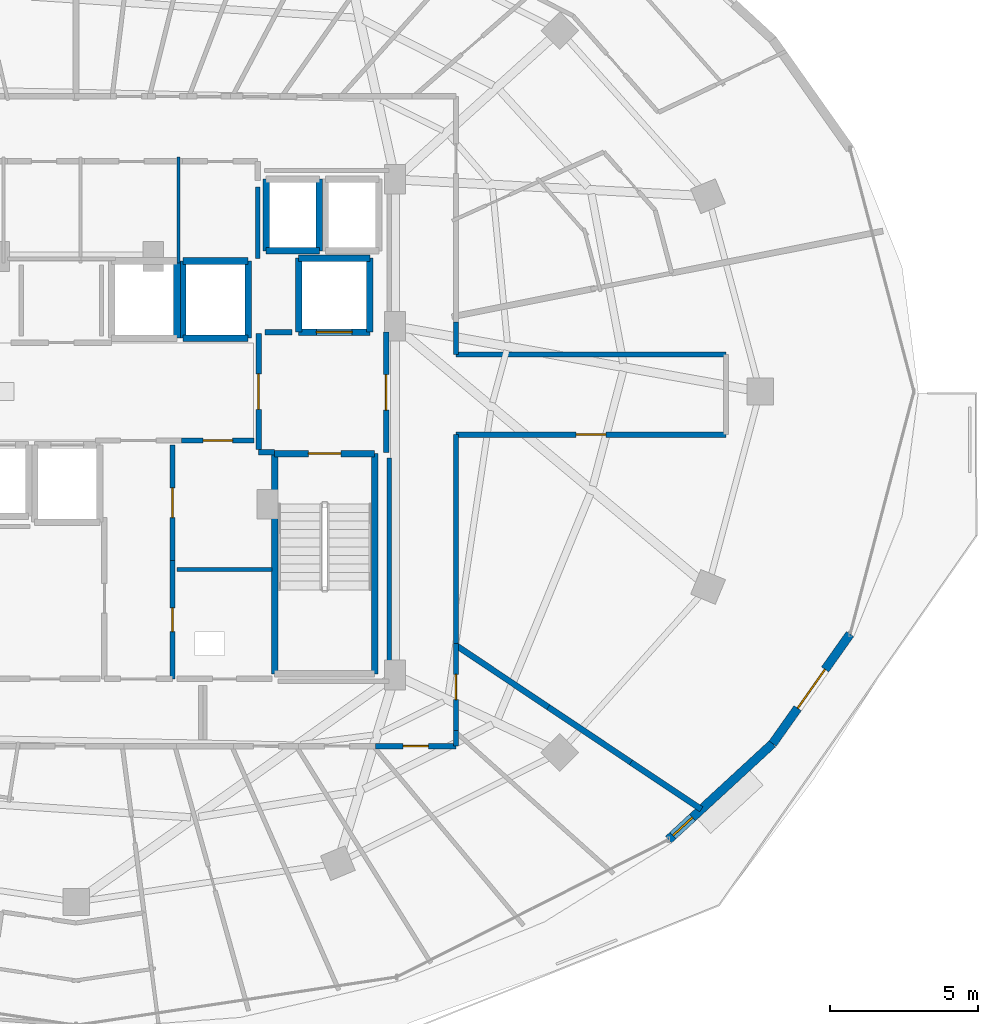
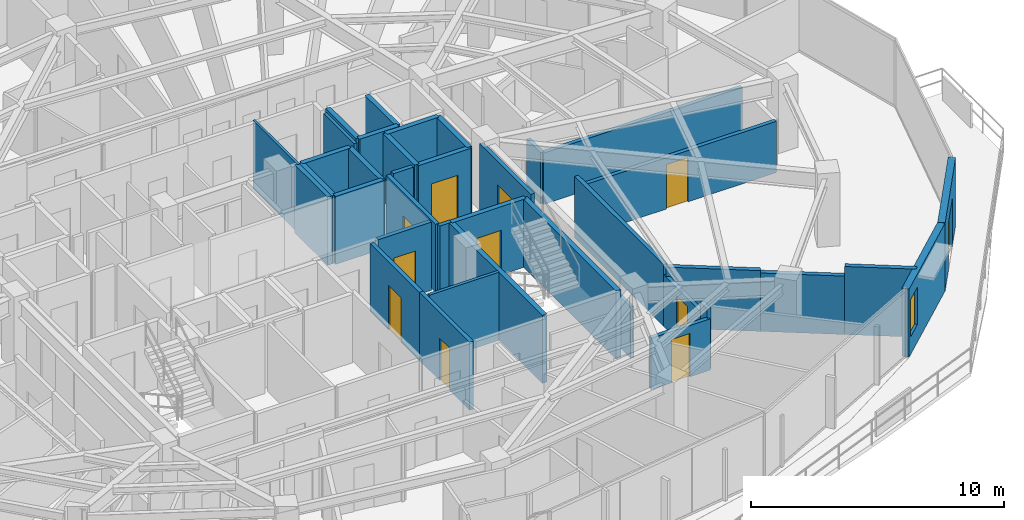
# One storey, part 28 of 34: 38 walls, 11 doors, 1 window, 12 openings.
"""IFC4 building model written with IfcOpenShell, lengths in metres."""

from ifc_helpers import new_model, si_unit, direction, frame, frame_2d, origin, place, context, subcontext, project, spatial, rectangle, extrude, material, layer, layer_set, type_object, element, fill, save


model = new_model("IFC4")

# Units and contexts
model_context = context("Model", 3, precision=1e-05, world=origin(), true_north=direction((0.0, 1.0)))
body_context = subcontext(model_context, "Body", "Model", "MODEL_VIEW")
ifc_project = project(units=[si_unit("LENGTHUNIT", "METRE"), si_unit("AREAUNIT", "SQUARE_METRE"), si_unit("VOLUMEUNIT", "CUBIC_METRE"), si_unit("PLANEANGLEUNIT", "RADIAN"), si_unit("MASSUNIT", "GRAM", prefix="KILO")], contexts=[model_context])

# Site, building, storey
site_placement = place(None, origin())
site = spatial("IfcSite", under=ifc_project, at=site_placement, CompositionType="ELEMENT")
building_placement = place(site_placement, origin())
building = spatial("IfcBuilding", under=site, at=building_placement, Name="Vorneva Point Tower", CompositionType="ELEMENT")
storey_placement = place(building_placement, frame((0.0, 0.0, 214.300048828125)))
storey = spatial("IfcBuildingStorey", under=building, at=storey_placement, Name="L58", CompositionType="ELEMENT", Elevation=214.300048828125)

# Wall, opening, door
ifc_material_1 = material(Name="Concrete B60 (C50/60)", Category="concrete")
ifc_layer_1 = layer(ifc_material_1, 0.35009765625)
ifc_layer_set_1 = layer_set([ifc_layer_1], Name="Concrete B60 (C50/60)")
wall_type_1 = type_object("IfcWallType", Name="WL-CORE-350", PredefinedType="SHEAR", material=ifc_layer_set_1)
wall_1_placement = place(storey_placement, frame((45.5, 28.0, 0.0), z_axis=(0.0, 0.0, 1.0), x_axis=(1.0, 0.0, 0.0)))
wall_1 = element("IfcWall", 1, at=wall_1_placement, inside=storey, type_object=wall_type_1, Name="L58 Lift FFL2 Shaft Wall -Y", PredefinedType="SHEAR", context=body_context, shape_type="SweptSolid", body=[
    extrude(rectangle(XDim=2.39990234375, YDim=0.219970703125, at=frame_2d((1.199951171875, 0.0))), origin(), (0.0, 0.0, 1.0), 3.2900390625),
])
opening_1_placement = place(wall_1_placement, frame((0.60009765625, 0.0, 0.0)))
opening_1 = element("IfcOpeningElement", 2, at=opening_1_placement, cuts=wall_1, Name="Opening LD-02", PredefinedType="OPENING", context=body_context, shape_type="SweptSolid", body=[
    extrude(rectangle(XDim=1.199951171875, YDim=2.199951171875, at=frame_2d((0.60009765625, 1.10009765625))), frame((0.0, 0.125, 0.0), z_axis=(0.0, -1.0, 0.0), x_axis=(1.0, 0.0, 0.0)), (0.0, 0.0, 1.0), 0.249755859375),
])
ifc_material_2 = material(Name="Brushed stainless steel S304", Category="steel")
door_type_1 = type_object("IfcDoorType", Name="LD-FIRE-1200", OperationType="SLIDING_TO_LEFT", PredefinedType="DOOR", material=ifc_material_2)
door_1_placement = place(opening_1_placement, origin())
door_1 = element("IfcDoor", 3, at=door_1_placement, inside=storey, type_object=door_type_1, Name="L58 Lift FFL2 Sliding Landing Door", OperationType="SLIDING_TO_LEFT", OverallHeight=2.199951171875, OverallWidth=1.199951171875, PredefinedType="DOOR", context=body_context, shape_type="SweptSolid", body=[
    extrude(rectangle(XDim=1.199951171875, YDim=2.199951171875, at=frame_2d((0.60009765625, 1.10009765625))), frame((0.0, 0.02490234375, 0.0), z_axis=(0.0, -1.0, 0.0), x_axis=(1.0, 0.0, 0.0)), (0.0, 0.0, 1.0), 0.050048828125),
])
fill(opening_1, door_1)

# Walls
wall_2_placement = place(storey_placement, frame((47.89990234375, 28.0, 0.0), z_axis=(0.0, 0.0, 1.0), x_axis=(0.0, 1.0, 0.0)))
element("IfcWall", 4, at=wall_2_placement, inside=storey, type_object=wall_type_1, Name="L58 Lift FFL2 Shaft Wall +X", PredefinedType="SHEAR", context=body_context, shape_type="SweptSolid", body=[
    extrude(rectangle(XDim=2.5, YDim=0.219970703125, at=frame_2d((1.25, 0.0))), origin(), (0.0, 0.0, 1.0), 3.2900390625),
])
wall_3_placement = place(storey_placement, frame((47.89990234375, 30.5, 0.0), z_axis=(0.0, 0.0, 1.0), x_axis=(-1.0, 0.0, 0.0)))
element("IfcWall", 5, at=wall_3_placement, inside=storey, type_object=wall_type_1, Name="L58 Lift FFL2 Shaft Wall +Y", PredefinedType="SHEAR", context=body_context, shape_type="SweptSolid", body=[
    extrude(rectangle(XDim=2.39990234375, YDim=0.219970703125, at=frame_2d((1.199951171875, 0.0))), origin(), (0.0, 0.0, 1.0), 3.2900390625),
])
wall_4_placement = place(storey_placement, frame((45.5, 30.5, 0.0), z_axis=(0.0, 0.0, 1.0), x_axis=(0.0, -1.0, 0.0)))
element("IfcWall", 6, at=wall_4_placement, inside=storey, type_object=wall_type_1, Name="L58 Lift FFL2 Shaft Wall -X", PredefinedType="SHEAR", context=body_context, shape_type="SweptSolid", body=[
    extrude(rectangle(XDim=2.5, YDim=0.219970703125, at=frame_2d((1.25, 0.0))), origin(), (0.0, 0.0, 1.0), 3.2900390625),
])

# Wall, opening, window
ifc_material_3 = material(Name="Precast concrete B50 (C40/50)", Category="concrete")
ifc_layer_2 = layer(ifc_material_3, 0.300048828125)
ifc_layer_set_2 = layer_set([ifc_layer_2], Name="Precast concrete B50 (C40/50)")
wall_type_2 = type_object("IfcWallType", Name="WL-EXT-300", PredefinedType="STANDARD", material=ifc_layer_set_2)
wall_5_placement = place(storey_placement, frame((57.961669921875, 10.9033203125, 0.0), z_axis=(0.0, 0.0, 1.0), x_axis=(0.735359993374, 0.677676678177, 0.0)))
wall_5 = element("IfcWall", 7, at=wall_5_placement, inside=storey, type_object=wall_type_2, Name="L58 Pale-Metal Facade Spandrel Wall 15.1", PredefinedType="STANDARD", context=body_context, shape_type="SweptSolid", body=[
    extrude(rectangle(XDim=4.774169921875, YDim=0.300048828125, at=frame_2d((2.38720703125, 0.0))), origin(), (0.0, 0.0, 1.0), 3.2900390625),
])
opening_2_placement = place(wall_5_placement, frame((0.199951171875, 0.0, 0.85009765625)))
opening_2 = element("IfcOpeningElement", 8, at=opening_2_placement, cuts=wall_5, Name="Opening W-08", PredefinedType="OPENING", context=body_context, shape_type="SweptSolid", body=[
    extrude(rectangle(XDim=0.89990234375, YDim=1.800048828125, at=frame_2d((0.449951171875, 0.89990234375))), frame((0.0, 0.1650390625, 0.0), z_axis=(0.0, -1.0, 0.0), x_axis=(1.0, 0.0, 0.0)), (0.0, 0.0, 1.0), 0.329833984375),
])
ifc_material_4 = material(Name="Double low-e laminated glass IGU", Category="glass")
window_type = type_object("IfcWindowType", Name="WN-CAS-900", PartitioningType="SINGLE_PANEL", PredefinedType="WINDOW", material=ifc_material_4)
window_placement = place(opening_2_placement, origin())
window = element("IfcWindow", 9, at=window_placement, inside=storey, type_object=window_type, Name="L58 Dwelling Vision Window 05", OverallHeight=1.800048828125, OverallWidth=0.89990234375, PartitioningType="SINGLE_PANEL", PredefinedType="WINDOW", context=body_context, shape_type="SweptSolid", body=[
    extrude(rectangle(XDim=0.89990234375, YDim=1.800048828125, at=frame_2d((0.449951171875, 0.89990234375))), frame((0.0, 0.030029296875, 0.0), z_axis=(0.0, -1.0, 0.0), x_axis=(1.0, 0.0, 0.0)), (0.0, 0.0, 1.0), 0.06005859375),
])
fill(opening_2, window)

# Wall, opening, door
wall_6_placement = place(storey_placement, frame((61.472412109375, 14.138671875, 0.0), z_axis=(0.0, 0.0, 1.0), x_axis=(0.577168747264, 0.81662490605, 0.0)))
wall_6 = element("IfcWall", 10, at=wall_6_placement, inside=storey, type_object=wall_type_2, Name="L58 Pale-Metal Facade Spandrel Wall 15.2", PredefinedType="STANDARD", context=body_context, shape_type="SweptSolid", body=[
    extrude(rectangle(XDim=4.519775390625, YDim=0.300048828125, at=frame_2d((2.259765625, 0.0))), origin(), (0.0, 0.0, 1.0), 3.2900390625),
])
opening_3_placement = place(wall_6_placement, frame((1.4599609375, 0.0, 0.0)))
opening_3 = element("IfcOpeningElement", 11, at=opening_3_placement, cuts=wall_6, Name="Opening BD-01", PredefinedType="OPENING", context=body_context, shape_type="SweptSolid", body=[
    extrude(rectangle(XDim=1.60009765625, YDim=2.300048828125, at=frame_2d((0.800048828125, 1.14990234375))), frame((0.0, 0.1650390625, 0.0), z_axis=(0.0, -1.0, 0.0), x_axis=(1.0, 0.0, 0.0)), (0.0, 0.0, 1.0), 0.329833984375),
])
ifc_material_5 = material(Name="Pale anodised aluminium", Category="aluminium")
door_type_2 = type_object("IfcDoorType", Name="DR-BAL-1600", OperationType="SLIDING_TO_LEFT", PredefinedType="DOOR", material=ifc_material_5)
door_2_placement = place(opening_3_placement, origin())
door_2 = element("IfcDoor", 12, at=door_2_placement, inside=storey, type_object=door_type_2, Name="L58 Balcony Terrace Access Door 15", OperationType="SLIDING_TO_LEFT", OverallHeight=2.300048828125, OverallWidth=1.60009765625, PredefinedType="DOOR", context=body_context, shape_type="SweptSolid", body=[
    extrude(rectangle(XDim=1.60009765625, YDim=2.300048828125, at=frame_2d((0.800048828125, 1.14990234375))), frame((0.0, 0.02490234375, 0.0), z_axis=(0.0, -1.0, 0.0), x_axis=(1.0, 0.0, 0.0)), (0.0, 0.0, 1.0), 0.050048828125),
])
fill(opening_3, door_2)

# Walls
ifc_material_6 = material(Name="Fire-rated acoustic gypsum stud partition", Category="gypsum")
ifc_layer_3 = layer(ifc_material_6, 0.110107421875)
ifc_layer_set_3 = layer_set([ifc_layer_3], Name="Fire-rated acoustic gypsum stud partition")
wall_type_3 = type_object("IfcWallType", Name="WL-PART-110", PredefinedType="PARTITIONING", material=ifc_layer_set_3)
wall_7_placement = place(storey_placement, frame((41.449951171875, 30.340087890625, 0.0), z_axis=(0.0, 0.0, 1.0), x_axis=(0.0, 1.0, 0.0)))
element("IfcWall", 13, at=wall_7_placement, inside=storey, type_object=wall_type_3, Name="L58 Interior Partition 026", PredefinedType="PARTITIONING", context=body_context, shape_type="SweptSolid", body=[
    extrude(rectangle(XDim=3.559814453125, YDim=0.110107421875, at=frame_2d((1.77978515625, 0.0))), origin(), (0.0, 0.0, 1.0), 3.2900390625),
])
ifc_layer_4 = layer(ifc_material_6, 0.139892578125)
ifc_layer_set_4 = layer_set([ifc_layer_4], Name="Fire-rated acoustic gypsum stud partition")
wall_type_4 = type_object("IfcWallType", Name="WL-PART-140", PredefinedType="PARTITIONING", material=ifc_layer_set_4)
wall_8_placement = place(storey_placement, frame((44.60009765625, 20.0, 0.0), z_axis=(0.0, 0.0, 1.0), x_axis=(-1.0, 0.0, 0.0)))
element("IfcWall", 14, at=wall_8_placement, inside=storey, type_object=wall_type_4, Name="L58 Interior Partition 018", PredefinedType="PARTITIONING", context=body_context, shape_type="SweptSolid", body=[
    extrude(rectangle(XDim=3.2001953125, YDim=0.139892578125, at=frame_2d((1.60009765625, 0.0))), origin(), (0.0, 0.0, 1.0), 3.2900390625),
])
wall_9_placement = place(storey_placement, frame((44.1201171875, 30.47998046875, 0.0), z_axis=(0.0, 0.0, 1.0), x_axis=(0.0, 1.0, 0.0)))
element("IfcWall", 15, at=wall_9_placement, inside=storey, type_object=wall_type_4, Name="L58 Interior Closure Partition 175", PredefinedType="PARTITIONING", context=body_context, shape_type="SweptSolid", body=[
    extrude(rectangle(XDim=2.409912109375, YDim=0.139892578125, at=frame_2d((1.205078125, 0.0))), origin(), (0.0, 0.0, 1.0), 3.2900390625),
])
wall_10_placement = place(storey_placement, frame((48.550048828125, 16.239990234375, 0.0), z_axis=(0.0, 0.0, 1.0), x_axis=(0.0, 1.0, 0.0)))
element("IfcWall", 16, at=wall_10_placement, inside=storey, type_object=wall_type_4, Name="L58 Interior Closure Partition 192", PredefinedType="PARTITIONING", context=body_context, shape_type="SweptSolid", body=[
    extrude(rectangle(XDim=7.513916015625, YDim=0.139892578125, at=frame_2d((3.7568359375, 0.0))), origin(), (0.0, 0.0, 1.0), 2.48193359375),
])

# Wall, opening, door
ifc_material_7 = material(Name="Autoclaved aerated concrete blockwork", Category="masonry")
ifc_layer_5 = layer(ifc_material_7, 0.179931640625)
ifc_layer_set_5 = layer_set([ifc_layer_5], Name="Autoclaved aerated concrete blockwork")
wall_type_5 = type_object("IfcWallType", Name="WL-PART-180", PredefinedType="PARTITIONING", material=ifc_layer_set_5)
wall_11_placement = place(storey_placement, frame((44.14990234375, 27.955078125, 0.0), z_axis=(0.0, 0.0, 1.0), x_axis=(0.0, -1.0, 0.0)))
wall_11 = element("IfcWall", 17, at=wall_11_placement, inside=storey, type_object=wall_type_5, Name="L58 Interior Partition 003", PredefinedType="PARTITIONING", context=body_context, shape_type="SweptSolid", body=[
    extrude(rectangle(XDim=3.91015625, YDim=0.179931640625, at=frame_2d((1.955078125, 0.0))), origin(), (0.0, 0.0, 1.0), 3.2900390625),
])
opening_4_placement = place(wall_11_placement, frame((1.35498046875, 0.0, 0.0)))
opening_4 = element("IfcOpeningElement", 18, at=opening_4_placement, cuts=wall_11, Name="Opening FD-02", PredefinedType="OPENING", context=body_context, shape_type="SweptSolid", body=[
    extrude(rectangle(XDim=1.199951171875, YDim=2.14990234375, at=frame_2d((0.60009765625, 1.074951171875))), frame((0.0, 0.10498046875, 0.0), z_axis=(0.0, -1.0, 0.0), x_axis=(1.0, 0.0, 0.0)), (0.0, 0.0, 1.0), 0.209716796875),
])
ifc_material_8 = material(Name="Fire-rated powder-coated steel", Category="steel")
door_type_3 = type_object("IfcDoorType", Name="DR-FFL-1200", OperationType="NOTDEFINED", PredefinedType="DOOR", material=ifc_material_8)
door_3_placement = place(opening_4_placement, origin())
door_3 = element("IfcDoor", 19, at=door_3_placement, inside=storey, type_object=door_type_3, Name="L58 Door East Firefighting Lobby / Central Lift Lobby", OperationType="SINGLE_SWING_LEFT", OverallHeight=2.14990234375, OverallWidth=1.199951171875, PredefinedType="DOOR", context=body_context, shape_type="SweptSolid", body=[
    extrude(rectangle(XDim=1.199951171875, YDim=2.14990234375, at=frame_2d((0.60009765625, 1.074951171875))), frame((0.0, 0.02490234375, 0.0), z_axis=(0.0, -1.0, 0.0), x_axis=(1.0, 0.0, 0.0)), (0.0, 0.0, 1.0), 0.050048828125),
])
fill(opening_4, door_3)

# Wall
wall_12_placement = place(storey_placement, frame((44.14990234375, 23.949951171875, 0.0), z_axis=(0.0, 0.0, 1.0), x_axis=(1.0, 0.0, 0.0)))
element("IfcWall", 20, at=wall_12_placement, inside=storey, type_object=wall_type_5, Name="L58 Interior Partition 004", PredefinedType="PARTITIONING", context=body_context, shape_type="SweptSolid", body=[
    extrude(rectangle(XDim=0.5400390625, YDim=0.179931640625, at=frame_2d((0.27001953125, 0.0))), origin(), (0.0, 0.0, 1.0), 3.2900390625),
])

# Wall, opening, door
wall_13_placement = place(storey_placement, frame((48.449951171875, 23.949951171875, 0.0), z_axis=(0.0, 0.0, 1.0), x_axis=(0.0, 1.0, 0.0)))
wall_13 = element("IfcWall", 21, at=wall_13_placement, inside=storey, type_object=wall_type_5, Name="L58 Interior Partition 005", PredefinedType="PARTITIONING", context=body_context, shape_type="SweptSolid", body=[
    extrude(rectangle(XDim=4.050048828125, YDim=0.179931640625, at=frame_2d((2.02490234375, 0.0))), origin(), (0.0, 0.0, 1.0), 3.2900390625),
])
opening_5_placement = place(wall_13_placement, frame((1.425048828125, 0.0, 0.0)))
opening_5 = element("IfcOpeningElement", 22, at=opening_5_placement, cuts=wall_13, Name="Opening FD-02", PredefinedType="OPENING", context=body_context, shape_type="SweptSolid", body=[
    extrude(rectangle(XDim=1.199951171875, YDim=2.14990234375, at=frame_2d((0.60009765625, 1.074951171875))), frame((0.0, 0.10498046875, 0.0), z_axis=(0.0, -1.0, 0.0), x_axis=(1.0, 0.0, 0.0)), (0.0, 0.0, 1.0), 0.209716796875),
])
door_4_placement = place(opening_5_placement, origin())
door_4 = element("IfcDoor", 23, at=door_4_placement, inside=storey, type_object=door_type_3, Name="L58 Door East Firefighting Lobby / L58 Circulation Corridor", OperationType="SINGLE_SWING_LEFT", OverallHeight=2.14990234375, OverallWidth=1.199951171875, PredefinedType="DOOR", context=body_context, shape_type="SweptSolid", body=[
    extrude(rectangle(XDim=1.199951171875, YDim=2.14990234375, at=frame_2d((0.60009765625, 1.074951171875))), frame((0.0, 0.02490234375, 0.0), z_axis=(0.0, -1.0, 0.0), x_axis=(1.0, 0.0, 0.0)), (0.0, 0.0, 1.0), 0.050048828125),
])
fill(opening_5, door_4)

wall_14_placement = place(storey_placement, frame((41.554931640625, 24.35009765625, 0.0), z_axis=(0.0, 0.0, 1.0), x_axis=(1.0, 0.0, 0.0)))
wall_14 = element("IfcWall", 24, at=wall_14_placement, inside=storey, type_object=wall_type_5, Name="L58 Interior Partition 011", PredefinedType="PARTITIONING", context=body_context, shape_type="SweptSolid", body=[
    extrude(rectangle(XDim=2.445068359375, YDim=0.179931640625, at=frame_2d((1.22265625, 0.0))), origin(), (0.0, 0.0, 1.0), 3.2900390625),
])
opening_6_placement = place(wall_14_placement, frame((0.722412109375, 0.0, 0.0)))
opening_6 = element("IfcOpeningElement", 25, at=opening_6_placement, cuts=wall_14, Name="Opening UD-01", PredefinedType="OPENING", context=body_context, shape_type="SweptSolid", body=[
    extrude(rectangle(XDim=1.0, YDim=2.14990234375, at=frame_2d((0.5, 1.074951171875))), frame((0.0, 0.10498046875, 0.0), z_axis=(0.0, -1.0, 0.0), x_axis=(1.0, 0.0, 0.0)), (0.0, 0.0, 1.0), 0.209716796875),
])
ifc_material_9 = material(Name="Engineered oak fire-rated door leaf", Category="wood")
door_type_4 = type_object("IfcDoorType", Name="DR-UNIT-1000", OperationType="NOTDEFINED", PredefinedType="DOOR", material=ifc_material_9)
door_5_placement = place(opening_6_placement, origin())
door_5 = element("IfcDoor", 26, at=door_5_placement, inside=storey, type_object=door_type_4, Name="L58 Door Central Lift Lobby / Floor Management Office", OperationType="SINGLE_SWING_LEFT", OverallHeight=2.14990234375, OverallWidth=1.0, PredefinedType="DOOR", context=body_context, shape_type="SweptSolid", body=[
    extrude(rectangle(XDim=1.0, YDim=2.14990234375, at=frame_2d((0.5, 1.074951171875))), frame((0.0, 0.02490234375, 0.0), z_axis=(0.0, -1.0, 0.0), x_axis=(1.0, 0.0, 0.0)), (0.0, 0.0, 1.0), 0.050048828125),
])
fill(opening_6, door_5)

wall_15_placement = place(storey_placement, frame((41.25, 16.320068359375, 0.0), z_axis=(0.0, 0.0, 1.0), x_axis=(0.0, 1.0, 0.0)))
wall_15 = element("IfcWall", 27, at=wall_15_placement, inside=storey, type_object=wall_type_5, Name="L58 Interior Partition 014", PredefinedType="PARTITIONING", context=body_context, shape_type="SweptSolid", body=[
    extrude(rectangle(XDim=3.98486328125, YDim=0.179931640625, at=frame_2d((1.992431640625, 0.0))), origin(), (0.0, 0.0, 1.0), 3.2900390625),
])
opening_7_placement = place(wall_15_placement, frame((1.592529296875, 0.0, 0.0)))
opening_7 = element("IfcOpeningElement", 28, at=opening_7_placement, cuts=wall_15, Name="Opening RD-01", PredefinedType="OPENING", context=body_context, shape_type="SweptSolid", body=[
    extrude(rectangle(XDim=0.800048828125, YDim=2.050048828125, at=frame_2d((0.39990234375, 1.02490234375))), frame((0.0, 0.10498046875, 0.0), z_axis=(0.0, -1.0, 0.0), x_axis=(1.0, 0.0, 0.0)), (0.0, 0.0, 1.0), 0.209716796875),
])
door_type_5 = type_object("IfcDoorType", Name="DR-RSR-800", OperationType="SINGLE_SWING_LEFT", PredefinedType="DOOR", material=ifc_material_8)
door_6_placement = place(opening_7_placement, origin())
door_6 = element("IfcDoor", 29, at=door_6_placement, inside=storey, type_object=door_type_5, Name="L58 Door Core Service Lobby / Electrical Riser", OperationType="SINGLE_SWING_RIGHT", OverallHeight=2.050048828125, OverallWidth=0.800048828125, PredefinedType="DOOR", context=body_context, shape_type="SweptSolid", body=[
    extrude(rectangle(XDim=0.800048828125, YDim=2.050048828125, at=frame_2d((0.39990234375, 1.02490234375))), frame((0.0, 0.02490234375, 0.0), z_axis=(0.0, -1.0, 0.0), x_axis=(1.0, 0.0, 0.0)), (0.0, 0.0, 1.0), 0.050048828125),
])
fill(opening_7, door_6)

wall_16_placement = place(storey_placement, frame((41.25, 20.304931640625, 0.0), z_axis=(0.0, 0.0, 1.0), x_axis=(0.0, 1.0, 0.0)))
wall_16 = element("IfcWall", 30, at=wall_16_placement, inside=storey, type_object=wall_type_5, Name="L58 Interior Partition 015", PredefinedType="PARTITIONING", context=body_context, shape_type="SweptSolid", body=[
    extrude(rectangle(XDim=3.89501953125, YDim=0.179931640625, at=frame_2d((1.947509765625, 0.0))), origin(), (0.0, 0.0, 1.0), 3.2900390625),
])
opening_8_placement = place(wall_16_placement, frame((1.447509765625, 0.0, 0.0)))
opening_8 = element("IfcOpeningElement", 31, at=opening_8_placement, cuts=wall_16, Name="Opening UD-01", PredefinedType="OPENING", context=body_context, shape_type="SweptSolid", body=[
    extrude(rectangle(XDim=1.0, YDim=2.14990234375, at=frame_2d((0.5, 1.074951171875))), frame((0.0, 0.10498046875, 0.0), z_axis=(0.0, -1.0, 0.0), x_axis=(1.0, 0.0, 0.0)), (0.0, 0.0, 1.0), 0.209716796875),
])
door_7_placement = place(opening_8_placement, origin())
door_7 = element("IfcDoor", 32, at=door_7_placement, inside=storey, type_object=door_type_4, Name="L58 Door Core Service Lobby / Floor Management Office", OperationType="SINGLE_SWING_LEFT", OverallHeight=2.14990234375, OverallWidth=1.0, PredefinedType="DOOR", context=body_context, shape_type="SweptSolid", body=[
    extrude(rectangle(XDim=1.0, YDim=2.14990234375, at=frame_2d((0.5, 1.074951171875))), frame((0.0, 0.02490234375, 0.0), z_axis=(0.0, -1.0, 0.0), x_axis=(1.0, 0.0, 0.0)), (0.0, 0.0, 1.0), 0.050048828125),
])
fill(opening_8, door_7)

wall_17_placement = place(storey_placement, frame((48.095947265625, 14.050048828125, 0.0), z_axis=(0.0, 0.0, 1.0), x_axis=(1.0, 0.0, 0.0)))
wall_17 = element("IfcWall", 33, at=wall_17_placement, inside=storey, type_object=wall_type_5, Name="L58 Interior Partition 076", PredefinedType="PARTITIONING", context=body_context, shape_type="SweptSolid", body=[
    extrude(rectangle(XDim=2.7041015625, YDim=0.179931640625, at=frame_2d((1.35205078125, 0.0))), origin(), (0.0, 0.0, 1.0), 2.48193359375),
])
opening_9_placement = place(wall_17_placement, frame((0.927001953125, 0.0, 0.0)))
opening_9 = element("IfcOpeningElement", 34, at=opening_9_placement, cuts=wall_17, Name="Opening ID-02", PredefinedType="OPENING", context=body_context, shape_type="SweptSolid", body=[
    extrude(rectangle(XDim=0.85009765625, YDim=2.10009765625, at=frame_2d((0.425048828125, 1.050048828125))), frame((0.0, 0.10498046875, 0.0), z_axis=(0.0, -1.0, 0.0), x_axis=(1.0, 0.0, 0.0)), (0.0, 0.0, 1.0), 0.209716796875),
])
door_type_6 = type_object("IfcDoorType", Name="DR-BATH-850", OperationType="NOTDEFINED", PredefinedType="DOOR", material=ifc_material_9)
door_8_placement = place(opening_9_placement, origin())
door_8 = element("IfcDoor", 35, at=door_8_placement, inside=storey, type_object=door_type_6, Name="L58 Access Door L58 Circulation Corridor", OperationType="SINGLE_SWING_RIGHT", OverallHeight=2.10009765625, OverallWidth=0.85009765625, PredefinedType="DOOR", context=body_context, shape_type="SweptSolid", body=[
    extrude(rectangle(XDim=0.85009765625, YDim=2.10009765625, at=frame_2d((0.425048828125, 1.050048828125))), frame((0.0, 0.02490234375, 0.0), z_axis=(0.0, -1.0, 0.0), x_axis=(1.0, 0.0, 0.0)), (0.0, 0.0, 1.0), 0.050048828125),
])
fill(opening_9, door_8)

# Wall
wall_18_placement = place(storey_placement, frame((50.800048828125, 14.050048828125, 0.0), z_axis=(0.0, 0.0, 1.0), x_axis=(0.0, 1.0, 0.0)))
element("IfcWall", 36, at=wall_18_placement, inside=storey, type_object=wall_type_5, Name="L58 Interior Partition 077", PredefinedType="PARTITIONING", context=body_context, shape_type="SweptSolid", body=[
    extrude(rectangle(XDim=0.530029296875, YDim=0.179931640625, at=frame_2d((0.26513671875, 0.0))), origin(), (0.0, 0.0, 1.0), 2.93603515625),
])

# Wall, opening, door
wall_19_placement = place(storey_placement, frame((50.800048828125, 14.580078125, 0.0), z_axis=(0.0, 0.0, 1.0), x_axis=(0.0, 1.0, 0.0)))
wall_19 = element("IfcWall", 37, at=wall_19_placement, inside=storey, type_object=wall_type_5, Name="L58 Interior Partition 078", PredefinedType="PARTITIONING", context=body_context, shape_type="SweptSolid", body=[
    extrude(rectangle(XDim=2.927001953125, YDim=0.179931640625, at=frame_2d((1.46337890625, 0.0))), origin(), (0.0, 0.0, 1.0), 2.48193359375),
])
opening_10_placement = place(wall_19_placement, frame((1.03857421875, 0.0, 0.0)))
opening_10 = element("IfcOpeningElement", 38, at=opening_10_placement, cuts=wall_19, Name="Opening ID-02", PredefinedType="OPENING", context=body_context, shape_type="SweptSolid", body=[
    extrude(rectangle(XDim=0.85009765625, YDim=2.10009765625, at=frame_2d((0.425048828125, 1.050048828125))), frame((0.0, 0.10498046875, 0.0), z_axis=(0.0, -1.0, 0.0), x_axis=(1.0, 0.0, 0.0)), (0.0, 0.0, 1.0), 0.209716796875),
])
door_9_placement = place(opening_10_placement, origin())
door_9 = element("IfcDoor", 39, at=door_9_placement, inside=storey, type_object=door_type_6, Name="L58 Access Door L58 Circulation Corridor", OperationType="SINGLE_SWING_LEFT", OverallHeight=2.10009765625, OverallWidth=0.85009765625, PredefinedType="DOOR", context=body_context, shape_type="SweptSolid", body=[
    extrude(rectangle(XDim=0.85009765625, YDim=2.10009765625, at=frame_2d((0.425048828125, 1.050048828125))), frame((0.0, 0.02490234375, 0.0), z_axis=(0.0, -1.0, 0.0), x_axis=(1.0, 0.0, 0.0)), (0.0, 0.0, 1.0), 0.050048828125),
])
fill(opening_10, door_9)

# Wall
wall_20_placement = place(storey_placement, frame((50.800048828125, 17.507080078125, 0.0), z_axis=(0.0, 0.0, 1.0), x_axis=(0.0, 1.0, 0.0)))
element("IfcWall", 40, at=wall_20_placement, inside=storey, type_object=wall_type_5, Name="L58 Interior Partition 079", PredefinedType="PARTITIONING", context=body_context, shape_type="SweptSolid", body=[
    extrude(rectangle(XDim=7.04296875, YDim=0.179931640625, at=frame_2d((3.521484375, 0.0))), origin(), (0.0, 0.0, 1.0), 2.97900390625),
])

# Wall, opening, door
wall_21_placement = place(storey_placement, frame((50.800048828125, 24.550048828125, 0.0), z_axis=(0.0, 0.0, 1.0), x_axis=(1.0, 0.0, 0.0)))
wall_21 = element("IfcWall", 41, at=wall_21_placement, inside=storey, type_object=wall_type_5, Name="L58 Interior Partition 080", PredefinedType="PARTITIONING", context=body_context, shape_type="SweptSolid", body=[
    extrude(rectangle(XDim=9.099853515625, YDim=0.179931640625, at=frame_2d((4.5498046875, 0.0))), origin(), (0.0, 0.0, 1.0), 2.48193359375),
])
opening_11_placement = place(wall_21_placement, frame((4.050048828125, 0.0, 0.0)))
opening_11 = element("IfcOpeningElement", 42, at=opening_11_placement, cuts=wall_21, Name="Opening UD-01", PredefinedType="OPENING", context=body_context, shape_type="SweptSolid", body=[
    extrude(rectangle(XDim=1.0, YDim=2.14990234375, at=frame_2d((0.5, 1.074951171875))), frame((0.0, 0.10498046875, 0.0), z_axis=(0.0, -1.0, 0.0), x_axis=(1.0, 0.0, 0.0)), (0.0, 0.0, 1.0), 0.209716796875),
])
door_10_placement = place(opening_11_placement, origin())
door_10 = element("IfcDoor", 43, at=door_10_placement, inside=storey, type_object=door_type_4, Name="L58 Door L58 Circulation Corridor / Residents Fitness Studio L58-05", OperationType="SINGLE_SWING_RIGHT", OverallHeight=2.14990234375, OverallWidth=1.0, PredefinedType="DOOR", context=body_context, shape_type="SweptSolid", body=[
    extrude(rectangle(XDim=1.0, YDim=2.14990234375, at=frame_2d((0.5, 1.074951171875))), frame((0.0, 0.02490234375, 0.0), z_axis=(0.0, -1.0, 0.0), x_axis=(1.0, 0.0, 0.0)), (0.0, 0.0, 1.0), 0.050048828125),
])
fill(opening_11, door_10)

# Walls
wall_22_placement = place(storey_placement, frame((59.89990234375, 27.25, 0.0), z_axis=(0.0, 0.0, 1.0), x_axis=(-1.0, 0.0, 0.0)))
element("IfcWall", 44, at=wall_22_placement, inside=storey, type_object=wall_type_5, Name="L58 Interior Partition 082", PredefinedType="PARTITIONING", context=body_context, shape_type="SweptSolid", body=[
    extrude(rectangle(XDim=9.099853515625, YDim=0.179931640625, at=frame_2d((4.5498046875, 0.0))), origin(), (0.0, 0.0, 1.0), 2.48193359375),
])
wall_23_placement = place(storey_placement, frame((50.800048828125, 27.25, 0.0), z_axis=(0.0, 0.0, 1.0), x_axis=(0.0, 1.0, 0.0)))
element("IfcWall", 45, at=wall_23_placement, inside=storey, type_object=wall_type_5, Name="L58 Interior Partition 083", PredefinedType="PARTITIONING", context=body_context, shape_type="SweptSolid", body=[
    extrude(rectangle(XDim=1.095947265625, YDim=0.179931640625, at=frame_2d((0.5478515625, 0.0))), origin(), (0.0, 0.0, 1.0), 2.48193359375),
])
wall_24_placement = place(storey_placement, frame((45.280029296875, 28.0, 0.0), z_axis=(0.0, 0.0, 1.0), x_axis=(-1.0, 0.0, 0.0)))
element("IfcWall", 46, at=wall_24_placement, inside=storey, type_object=wall_type_5, Name="L58 Interior Closure Partition 173", PredefinedType="PARTITIONING", context=body_context, shape_type="SweptSolid", body=[
    extrude(rectangle(XDim=0.9150390625, YDim=0.179931640625, at=frame_2d((0.45751953125, 0.0))), origin(), (0.0, 0.0, 1.0), 3.2900390625),
])
ifc_layer_6 = layer(ifc_material_7, 0.199951171875)
ifc_layer_set_6 = layer_set([ifc_layer_6], Name="Autoclaved aerated concrete blockwork")
wall_type_6 = type_object("IfcWallType", Name="WL-PART-200", PredefinedType="PARTITIONING", material=ifc_layer_set_6)
wall_25_placement = place(storey_placement, frame((56.695068359375, 13.508056640625, 0.0), z_axis=(0.0, 0.0, 1.0), x_axis=(-0.831533913479, 0.55547398745, 0.0)))
element("IfcWall", 47, at=wall_25_placement, inside=storey, type_object=wall_type_6, Name="L58 Interior Partition 169", PredefinedType="PARTITIONING", context=body_context, shape_type="SweptSolid", body=[
    extrude(rectangle(XDim=3.34814453125, YDim=0.199951171875, at=frame_2d((1.674072265625, 0.0))), origin(), (0.0, 0.0, 1.0), 2.823974609375),
])
wall_26_placement = place(storey_placement, frame((53.910888671875, 15.367919921875, 0.0), z_axis=(0.0, 0.0, 1.0), x_axis=(-0.83140728108, 0.55566350696, 0.0)))
element("IfcWall", 48, at=wall_26_placement, inside=storey, type_object=wall_type_6, Name="L58 Interior Partition 170", PredefinedType="PARTITIONING", context=body_context, shape_type="SweptSolid", body=[
    extrude(rectangle(XDim=3.74169921875, YDim=0.199951171875, at=frame_2d((1.870849609375, 0.0))), origin(), (0.0, 0.0, 1.0), 2.93603515625),
])
wall_27_placement = place(storey_placement, frame((59.06689453125, 11.924072265625, 0.0), z_axis=(0.0, 0.0, 1.0), x_axis=(-0.831602270354, 0.555371644885, 0.0)))
element("IfcWall", 49, at=wall_27_placement, inside=storey, type_object=wall_type_6, Name="L58 Interior Partition 171", PredefinedType="PARTITIONING", context=body_context, shape_type="SweptSolid", body=[
    extrude(rectangle(XDim=2.85205078125, YDim=0.199951171875, at=frame_2d((1.426025390625, 0.0))), origin(), (0.0, 0.0, 1.0), 3.2900390625),
])

# Wall, opening, door
ifc_material_10 = material(Name="Concrete B50 (C40/50)", Category="concrete")
ifc_layer_7 = layer(ifc_material_10, 0.219970703125)
ifc_layer_set_7 = layer_set([ifc_layer_7], Name="Concrete B50 (C40/50)")
wall_type_7 = type_object("IfcWallType", Name="WL-SHFT-220", PredefinedType="SOLIDWALL", material=ifc_layer_set_7)
wall_28_placement = place(storey_placement, frame((44.68994140625, 23.909912109375, 0.0), z_axis=(0.0, 0.0, 1.0), x_axis=(1.0, 0.0, 0.0)))
wall_28 = element("IfcWall", 50, at=wall_28_placement, inside=storey, type_object=wall_type_7, Name="L58 Exit Stair ST2 Shaft Wall near", PredefinedType="SOLIDWALL", context=body_context, shape_type="SweptSolid", body=[
    extrude(rectangle(XDim=3.3701171875, YDim=0.219970703125, at=frame_2d((1.68505859375, 0.0))), origin(), (0.0, 0.0, 1.0), 3.2900390625),
])
opening_12_placement = place(wall_28_placement, frame((1.135009765625, 0.0, 0.0)))
opening_12 = element("IfcOpeningElement", 51, at=opening_12_placement, cuts=wall_28, Name="Opening FD-01", PredefinedType="OPENING", context=body_context, shape_type="SweptSolid", body=[
    extrude(rectangle(XDim=1.10009765625, YDim=2.14990234375, at=frame_2d((0.550048828125, 1.074951171875))), frame((0.0, 0.125, 0.0), z_axis=(0.0, -1.0, 0.0), x_axis=(1.0, 0.0, 0.0)), (0.0, 0.0, 1.0), 0.249755859375),
])
door_type_7 = type_object("IfcDoorType", Name="DR-STAIR-1100", OperationType="NOTDEFINED", PredefinedType="DOOR", material=ifc_material_8)
door_11_placement = place(opening_12_placement, origin())
door_11 = element("IfcDoor", 52, at=door_11_placement, inside=storey, type_object=door_type_7, Name="L58 Exit Stair ST2 Fire Door", OperationType="SINGLE_SWING_LEFT", OverallHeight=2.14990234375, OverallWidth=1.10009765625, PredefinedType="DOOR", context=body_context, shape_type="SweptSolid", body=[
    extrude(rectangle(XDim=1.10009765625, YDim=2.14990234375, at=frame_2d((0.550048828125, 1.074951171875))), frame((0.0, 0.02490234375, 0.0), z_axis=(0.0, -1.0, 0.0), x_axis=(1.0, 0.0, 0.0)), (0.0, 0.0, 1.0), 0.050048828125),
])
fill(opening_12, door_11)

# Walls
for number, where, z_axis, x_axis, name in (
    (53, (48.06005859375, 23.909912109375, 0.0), (0.0, 0.0, 1.0), (0.0, -1.0, 0.0), "L58 Exit Stair ST2 Shaft Wall right"),
    (54, (44.68994140625, 16.489990234375, 0.0), (0.0, 0.0, 1.0), (0.0, 1.0, 0.0), "L58 Exit Stair ST2 Shaft Wall left"),
):
    element("IfcWall", number, at=place(storey_placement, frame(where, z_axis=z_axis, x_axis=x_axis)), inside=storey, type_object=wall_type_7, Name=name, PredefinedType="SOLIDWALL", context=body_context, shape_type="SweptSolid", body=[
        extrude(rectangle(XDim=7.419921875, YDim=0.219970703125, at=frame_2d((3.7099609375, 0.0))), origin(), (0.0, 0.0, 1.0), 3.2900390625),
    ])
wall_29_placement = place(storey_placement, frame((41.39990234375, 27.800048828125, 0.0), z_axis=(0.0, 0.0, 1.0), x_axis=(0.0, 1.0, 0.0)))
element("IfcWall", 55, at=wall_29_placement, inside=storey, type_object=wall_type_7, Name="L58 Lift PL7 Shaft Wall +X", PredefinedType="SOLIDWALL", context=body_context, shape_type="SweptSolid", body=[
    extrude(rectangle(XDim=2.599853515625, YDim=0.219970703125, at=frame_2d((1.2998046875, 0.0))), origin(), (0.0, 0.0, 1.0), 3.2900390625),
])
wall_30_placement = place(storey_placement, frame((41.60009765625, 27.800048828125, 0.0), z_axis=(0.0, 0.0, 1.0), x_axis=(1.0, 0.0, 0.0)))
element("IfcWall", 56, at=wall_30_placement, inside=storey, type_object=wall_type_7, Name="L58 Lift PL8 Shaft Wall -Y", PredefinedType="SOLIDWALL", context=body_context, shape_type="SweptSolid", body=[
    extrude(rectangle(XDim=2.199951171875, YDim=0.219970703125, at=frame_2d((1.10009765625, 0.0))), origin(), (0.0, 0.0, 1.0), 3.2900390625),
])
wall_31_placement = place(storey_placement, frame((43.800048828125, 27.800048828125, 0.0), z_axis=(0.0, 0.0, 1.0), x_axis=(0.0, 1.0, 0.0)))
element("IfcWall", 57, at=wall_31_placement, inside=storey, type_object=wall_type_7, Name="L58 Lift PL8 Shaft Wall +X", PredefinedType="SOLIDWALL", context=body_context, shape_type="SweptSolid", body=[
    extrude(rectangle(XDim=2.599853515625, YDim=0.219970703125, at=frame_2d((1.2998046875, 0.0))), origin(), (0.0, 0.0, 1.0), 3.2900390625),
])
wall_32_placement = place(storey_placement, frame((43.800048828125, 30.39990234375, 0.0), z_axis=(0.0, 0.0, 1.0), x_axis=(-1.0, 0.0, 0.0)))
element("IfcWall", 58, at=wall_32_placement, inside=storey, type_object=wall_type_7, Name="L58 Lift PL8 Shaft Wall +Y", PredefinedType="SOLIDWALL", context=body_context, shape_type="SweptSolid", body=[
    extrude(rectangle(XDim=2.199951171875, YDim=0.219970703125, at=frame_2d((1.10009765625, 0.0))), origin(), (0.0, 0.0, 1.0), 3.2900390625),
])
wall_33_placement = place(storey_placement, frame((41.60009765625, 30.39990234375, 0.0), z_axis=(0.0, 0.0, 1.0), x_axis=(0.0, -1.0, 0.0)))
element("IfcWall", 59, at=wall_33_placement, inside=storey, type_object=wall_type_7, Name="L58 Lift PL8 Shaft Wall -X", PredefinedType="SOLIDWALL", context=body_context, shape_type="SweptSolid", body=[
    extrude(rectangle(XDim=2.599853515625, YDim=0.219970703125, at=frame_2d((1.2998046875, 0.0))), origin(), (0.0, 0.0, 1.0), 3.2900390625),
])
wall_34_placement = place(storey_placement, frame((44.39990234375, 30.739990234375, 0.0), z_axis=(0.0, 0.0, 1.0), x_axis=(1.0, 0.0, 0.0)))
element("IfcWall", 60, at=wall_34_placement, inside=storey, type_object=wall_type_7, Name="L58 Lift EX1 Shaft Wall -Y", PredefinedType="SOLIDWALL", context=body_context, shape_type="SweptSolid", body=[
    extrude(rectangle(XDim=1.800048828125, YDim=0.219970703125, at=frame_2d((0.89990234375, 0.0))), origin(), (0.0, 0.0, 1.0), 3.2900390625),
])
for number, where, z_axis, x_axis, name in (
    (61, (46.199951171875, 30.739990234375, 0.0), (0.0, 0.0, 1.0), (0.0, 1.0, 0.0), "L58 Lift EX1 Shaft Wall +X"),
    (62, (44.39990234375, 33.159912109375, 0.0), (0.0, 0.0, 1.0), (0.0, -1.0, 0.0), "L58 Lift EX1 Shaft Wall -X"),
):
    element("IfcWall", number, at=place(storey_placement, frame(where, z_axis=z_axis, x_axis=x_axis)), inside=storey, type_object=wall_type_7, Name=name, PredefinedType="SOLIDWALL", context=body_context, shape_type="SweptSolid", body=[
        extrude(rectangle(XDim=2.419921875, YDim=0.219970703125, at=frame_2d((1.2099609375, 0.0))), origin(), (0.0, 0.0, 1.0), 3.2900390625),
    ])

save(model, "model.ifc")
